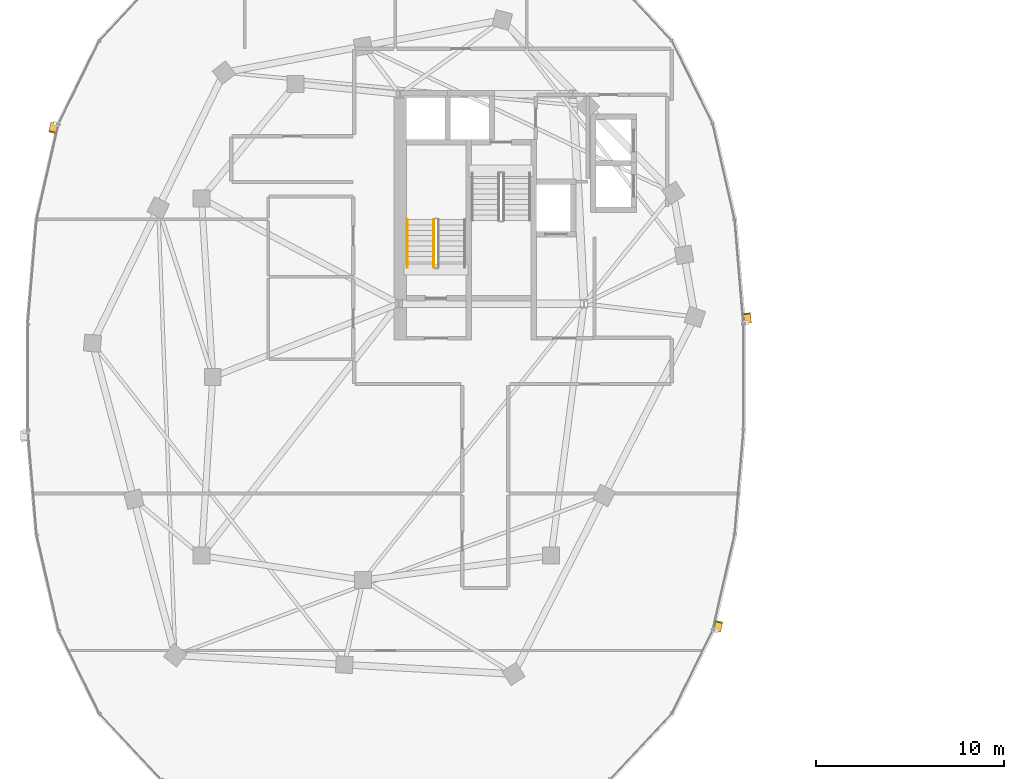
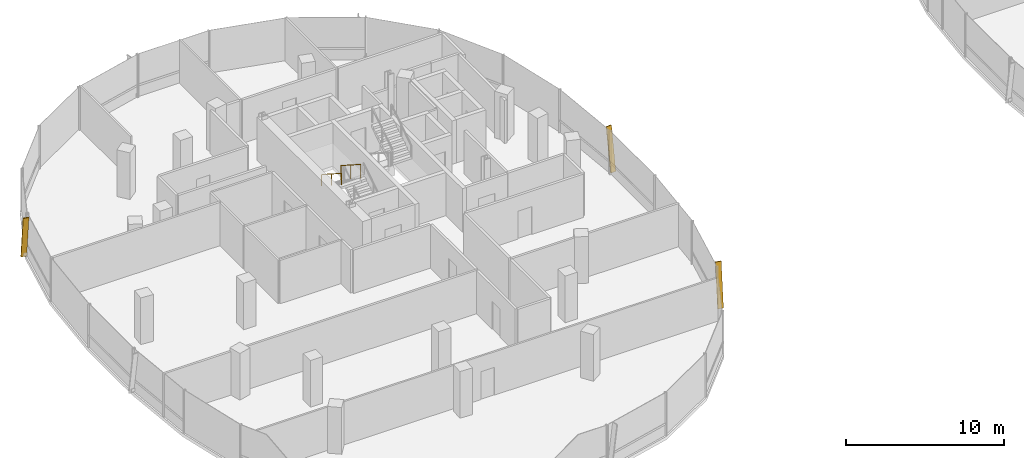
# One storey, part 22 of 25: 3 shading devices, 2 railings.
"""IFC4 building model written with IfcOpenShell, lengths in metres."""

from ifc_helpers import new_model, si_unit, direction, frame, origin, origin_2d, place, context, subcontext, project, spatial, rectangle, extrude, material, material_profile, profile_set, type_object, element, save


model = new_model("IFC4")

# Units and contexts
model_context = context("Model", 3, precision=1e-05, world=origin(), true_north=direction((0.0, 1.0)))
body_context = subcontext(model_context, "Body", "Model", "MODEL_VIEW")
ifc_project = project(units=[si_unit("LENGTHUNIT", "METRE"), si_unit("AREAUNIT", "SQUARE_METRE"), si_unit("VOLUMEUNIT", "CUBIC_METRE"), si_unit("PLANEANGLEUNIT", "RADIAN"), si_unit("MASSUNIT", "GRAM", prefix="KILO"), si_unit("THERMODYNAMICTEMPERATUREUNIT", "KELVIN"), si_unit("POWERUNIT", "WATT")], contexts=[model_context])

# Site, building, storey
site_placement = place(None, origin())
site = spatial("IfcSite", under=ifc_project, at=site_placement, CompositionType="ELEMENT")
building_placement = place(site_placement, origin())
building = spatial("IfcBuilding", under=site, at=building_placement, Name="Cundina Bronze Exchange", CompositionType="ELEMENT")
storey_placement = place(building_placement, frame((0.0, 0.0, 224.199951171875)))
storey = spatial("IfcBuildingStorey", under=building, at=storey_placement, Name="L59", CompositionType="ELEMENT", Elevation=224.199951171875)

# Railings
ifc_material_1 = material(Name="Steel ASTM A36 Painted", Category="steel")
railing_type_1 = type_object("IfcRailingType", Name="RLG-HND-900", PredefinedType="HANDRAIL", material=ifc_material_1)
railing_1_placement = place(storey_placement, frame((-30.85009765625, 8.3701171875, 1.97998046875)))
element("IfcRailing", 1, at=railing_1_placement, inside=storey, type_object=railing_type_1, Name="L59 ST-W1 stair handrail 2", PredefinedType="HANDRAIL", context=body_context, shape_type="SweptSolid", body=[
    extrude(rectangle(XDim=0.048095703125, YDim=0.048095703125, at=origin_2d()), frame((0.0, 0.0, 0.8759765625), z_axis=(0.0, -0.841162588446, 0.540782303519), x_axis=(1.0, 0.0, 0.0)), (0.0, 0.0, 1.0), 2.995849609375),
    extrude(rectangle(XDim=0.0419921875, YDim=0.0419921875, at=origin_2d()), origin(), (0.0, 0.0, 1.0), 0.851806640625),
    extrude(rectangle(XDim=0.0419921875, YDim=0.0419921875, at=origin_2d()), frame((0.0, -1.260009765625, 0.81005859375)), (0.0, 0.0, 1.0), 0.851806640625),
    extrude(rectangle(XDim=0.0419921875, YDim=0.0419921875, at=origin_2d()), frame((0.0, -2.52001953125, 1.6201171875)), (0.0, 0.0, 1.0), 0.851806640625),
])
railing_type_2 = type_object("IfcRailingType", Name="RLG-STG-1100", PredefinedType="GUARDRAIL", material=ifc_material_1)
railing_2_placement = place(storey_placement, frame((-29.449951171875, 8.3701171875, 1.97998046875)))
element("IfcRailing", 2, at=railing_2_placement, inside=storey, type_object=railing_type_2, Name="L59 ST-W1 stair guard 3", PredefinedType="GUARDRAIL", context=body_context, shape_type="SweptSolid", body=[
    extrude(rectangle(XDim=0.048095703125, YDim=0.048095703125, at=origin_2d()), frame((0.0, 0.0, 1.076171875), z_axis=(0.0, -0.841162588446, 0.540782303519), x_axis=(1.0, 0.0, 0.0)), (0.0, 0.0, 1.0), 2.995849609375),
    extrude(rectangle(XDim=0.0419921875, YDim=0.0419921875, at=origin_2d()), origin(), (0.0, 0.0, 1.0), 1.052001953125),
    extrude(rectangle(XDim=0.0419921875, YDim=0.0419921875, at=origin_2d()), frame((0.0, -1.260009765625, 0.81005859375)), (0.0, 0.0, 1.0), 1.052001953125),
    extrude(rectangle(XDim=0.0419921875, YDim=0.0419921875, at=origin_2d()), frame((0.0, -2.52001953125, 1.6201171875)), (0.0, 0.0, 1.0), 1.052001953125),
])

# Shading devices
ifc_material_2 = material(Name="Anodised Bronze Aluminium 6063-T6", Category="aluminium")
ifc_material_profile = material_profile(ifc_material_2, rectangle(XDim=0.070068359375, YDim=0.3798828125, at=origin_2d()), Name="FIN70X380", Category="aluminium")
ifc_profile_set = profile_set([ifc_material_profile], Name="Anodised Bronze Aluminium 6063-T6")
shading_device_type = type_object("IfcShadingDeviceType", Name="SHD-FIN-BRZ380", PredefinedType="USERDEFINED", material=ifc_profile_set)
for number, where, z_axis, x_axis, name in (
    (3, (-12.735595703125, 2.90283203125, 0.02001953125), (-0.012006555776, 0.143419772964, 0.98958911238), (0.082555834947, -0.986139516224, 0.143921466983), "L59 Diagonal Bronze Solar Fin 1"),
    (4, (-49.636962890625, 13.4931640625, 0.02001953125), (-0.032139238682, -0.140343782583, 0.989581068951), (0.220899412839, 0.964610875656, 0.14397676192), "L59 Diagonal Bronze Solar Fin 5"),
    (5, (-14.363037109375, -13.4931640625, 0.02001953125), (0.032139238682, 0.140343782583, 0.989581068951), (-0.220899412839, -0.964610875656, 0.14397676192), "L59 Diagonal Bronze Solar Fin 5"),
):
    element("IfcShadingDevice", number, at=place(storey_placement, frame(where, z_axis=z_axis, x_axis=x_axis)), inside=storey, type_object=shading_device_type, Name=name, ObjectType="FIN", PredefinedType="USERDEFINED", context=body_context, shape_type="SweptSolid", body=[
        extrude(rectangle(XDim=0.070068359375, YDim=0.3798828125, at=origin_2d()), origin(), (0.0, 0.0, 1.0), 3.334716796875),
    ])

save(model, "model.ifc")
